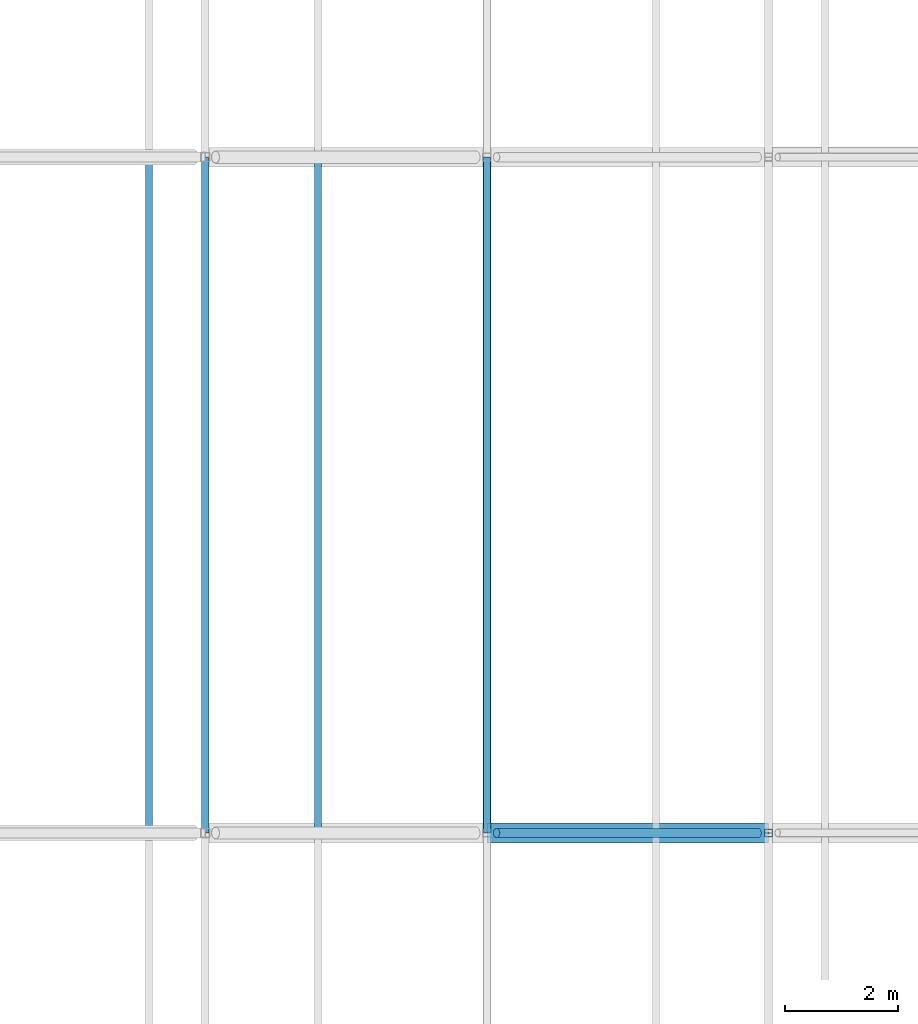
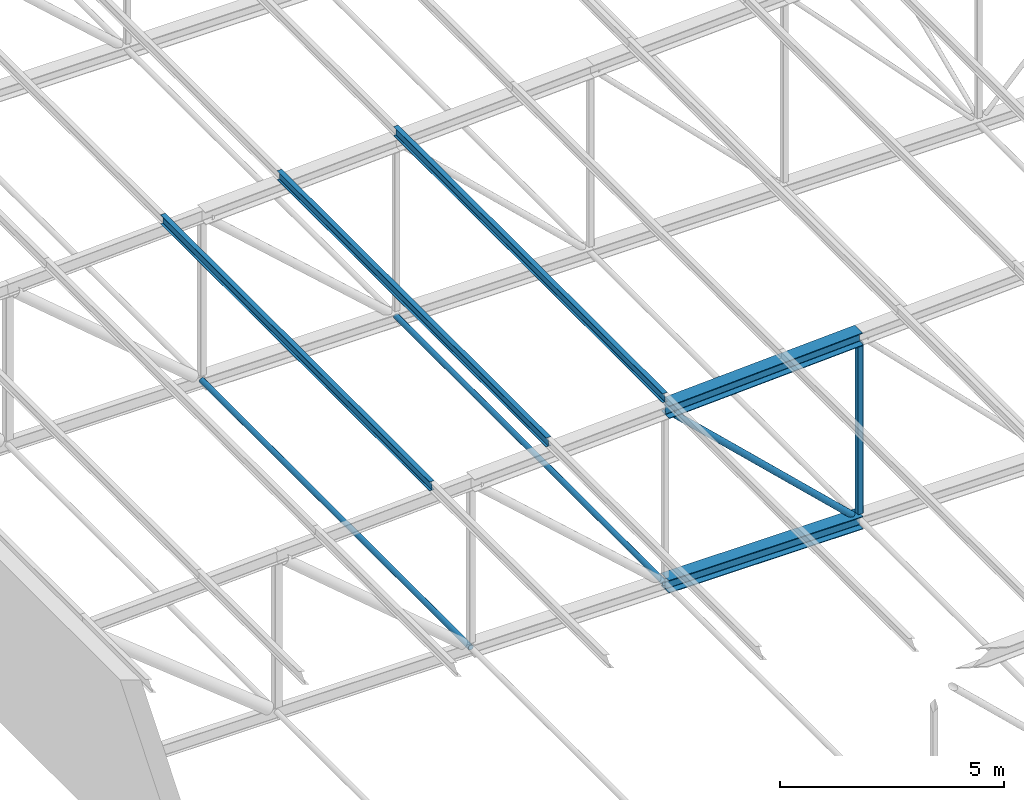
# One storey, part 20 of 156: 9 members.
"""IFC4 building model written with IfcOpenShell, lengths in metres."""

from ifc_helpers import new_model, si_unit, direction, frame, origin, origin_2d, place, context, subcontext, project, spatial, hollow_rectangle, hollow_circle, i_section, extrude, material, material_profile, profile_set, type_object, element, save


model = new_model("IFC4")

# Units and contexts
model_context = context("Model", 3, precision=1e-05, world=origin(), true_north=direction((0.0, 1.0)))
body_context = subcontext(model_context, "Body", "Model", "MODEL_VIEW")
ifc_project = project(units=[si_unit("LENGTHUNIT", "METRE"), si_unit("AREAUNIT", "SQUARE_METRE"), si_unit("VOLUMEUNIT", "CUBIC_METRE"), si_unit("PLANEANGLEUNIT", "RADIAN"), si_unit("MASSUNIT", "GRAM", prefix="KILO")], contexts=[model_context])

# Site, building, storey
site_placement = place(None, origin())
site = spatial("IfcSite", under=ifc_project, at=site_placement, CompositionType="ELEMENT")
building_placement = place(site_placement, origin())
building = spatial("IfcBuilding", under=site, at=building_placement, Name="Lilac Gate Convention Centre", CompositionType="ELEMENT")
storey_placement = place(building_placement, frame((0.0, 0.0, 17.0)))
storey = spatial("IfcBuildingStorey", under=building, at=storey_placement, Name="L03", CompositionType="ELEMENT", Elevation=17.0)

# Members
ifc_material = material(Name="Steel Q355B", Category="steel")
ifc_material_profile_1 = material_profile(ifc_material, hollow_circle(Radius=0.06982421875, WallThickness=0.0048828125, at=origin_2d()), Name="CHS139.7x5")
ifc_profile_set_1 = profile_set([ifc_material_profile_1], Name="Steel Q355B")
member_type_1 = type_object("IfcMemberType", Name="Bottom chord tie CHS139.7x5", PredefinedType="STRUT", material=ifc_profile_set_1)
member_1_placement = place(storey_placement, frame((40.0, 54.00341796875, 0.0), z_axis=(0.0, 1.0, 0.0), x_axis=(-1.0, 0.0, 0.0)))
element("IfcMember", 1, at=member_1_placement, inside=storey, type_object=member_type_1, Name="ST1 tie bay 3 node 3", PredefinedType="STRUT", context=body_context, shape_type="SweptSolid", body=[
    extrude(hollow_circle(Radius=0.06982421875, WallThickness=0.0048828125, at=origin_2d()), origin(), (0.0, 0.0, 1.0), 11.9931640625),
])
member_2_placement = place(storey_placement, frame((45.0, 54.006103515625, 0.0), z_axis=(0.0, 1.0, 0.0), x_axis=(-1.0, 0.0, 0.0)))
element("IfcMember", 2, at=member_2_placement, inside=storey, type_object=member_type_1, Name="ST1 tie bay 3 node 4", PredefinedType="STRUT", context=body_context, shape_type="SweptSolid", body=[
    extrude(hollow_circle(Radius=0.06982421875, WallThickness=0.0048828125, at=origin_2d()), origin(), (0.0, 0.0, 1.0), 11.98779296875),
])
ifc_material_profile_2 = material_profile(ifc_material, i_section(OverallWidth=0.125, OverallDepth=0.25, WebThickness=0.006103515625, FlangeThickness=0.009033203125, FilletRadius=0.008056640625, at=origin_2d()), Name="HN250x125x6x9")
ifc_profile_set_2 = profile_set([ifc_material_profile_2], Name="Steel Q355B")
member_type_2 = type_object("IfcMemberType", Name="Roof purlin HN250x125x6x9", PredefinedType="PURLIN", material=ifc_profile_set_2)
for number, where, z_axis, x_axis, name in (
    (3, (39.0, 54.0, 4.750244140625), (0.0, 1.0, 0.0), (-1.0, 0.0, 0.0), "PU2 purlin bay 3 line 4"),
    (4, (42.0, 54.0, 4.900146484375), (0.0, 1.0, 0.0), (-1.0, 0.0, 0.0), "PU2 purlin bay 3 line 5"),
    (5, (45.0, 54.0, 5.05029296875), (0.0, 1.0, 0.0), (-1.0, 0.0, 0.0), "PU2 purlin bay 3 line 6"),
):
    element("IfcMember", number, at=place(storey_placement, frame(where, z_axis=z_axis, x_axis=x_axis)), inside=storey, type_object=member_type_2, Name=name, PredefinedType="PURLIN", context=body_context, shape_type="SweptSolid", body=[
        extrude(i_section(OverallWidth=0.125, OverallDepth=0.25, WebThickness=0.006103515625, FlangeThickness=0.009033203125, FilletRadius=0.008056640625, at=origin_2d()), origin(), (0.0, 0.0, 1.0), 12.0),
    ])
ifc_material_profile_3 = material_profile(ifc_material, i_section(OverallWidth=0.35009765625, OverallDepth=0.35009765625, WebThickness=0.011962890625, FlangeThickness=0.01904296875, FilletRadius=0.012939453125, at=origin_2d()), Name="HW350x350x12x19")
ifc_profile_set_3 = profile_set([ifc_material_profile_3], Name="Steel Q355B")
member_type_3 = type_object("IfcMemberType", Name="Truss bottom chord HW350x350x12x19", PredefinedType="CHORD", material=ifc_profile_set_3)
member_3_placement = place(storey_placement, frame((45.0, 54.0, 0.0), z_axis=(1.0, 0.0, 0.0), x_axis=(0.0, 1.0, 0.0)))
element("IfcMember", 6, at=member_3_placement, inside=storey, type_object=member_type_3, Name="TB2 truss 3 bottom chord 4", PredefinedType="CHORD", context=body_context, shape_type="SweptSolid", body=[
    extrude(i_section(OverallWidth=0.35009765625, OverallDepth=0.35009765625, WebThickness=0.011962890625, FlangeThickness=0.01904296875, FilletRadius=0.012939453125, at=origin_2d()), origin(), (0.0, 0.0, 1.0), 5.0),
])
ifc_material_profile_4 = material_profile(ifc_material, hollow_circle(Radius=0.084228515625, WallThickness=0.006103515625, at=origin_2d()), Name="CHS168.3x6")
ifc_profile_set_4 = profile_set([ifc_material_profile_4], Name="Steel Q355B")
member_type_4 = type_object("IfcMemberType", Name="Truss diagonal CHS168.3x6", PredefinedType="BRACE", material=ifc_profile_set_4)
member_4_placement = place(storey_placement, frame((45.1728515625, 54.0, 4.585693359375), z_axis=(0.725020373275, 0.0, -0.688727419475), x_axis=(0.0, 1.0, 0.0)))
element("IfcMember", 7, at=member_4_placement, inside=storey, type_object=member_type_4, Name="TW4 truss 3 diagonal 4", PredefinedType="BRACE", context=body_context, shape_type="SweptSolid", body=[
    extrude(hollow_circle(Radius=0.084228515625, WallThickness=0.006103515625, at=origin_2d()), origin(), (0.0, 0.0, 1.0), 6.404052734375),
])
ifc_material_profile_5 = material_profile(ifc_material, i_section(OverallWidth=0.35009765625, OverallDepth=0.35009765625, WebThickness=0.011962890625, FlangeThickness=0.01904296875, FilletRadius=0.012939453125, at=origin_2d()), Name="HW350x350x12x19")
ifc_profile_set_5 = profile_set([ifc_material_profile_5], Name="Steel Q355B")
member_type_5 = type_object("IfcMemberType", Name="Truss top chord HW350x350x12x19", PredefinedType="CHORD", material=ifc_profile_set_5)
member_5_placement = place(storey_placement, frame((45.0, 54.0, 4.75), z_axis=(0.998752338878, 0.0, 0.049937616944), x_axis=(0.0, 1.0, 0.0)))
element("IfcMember", 8, at=member_5_placement, inside=storey, type_object=member_type_5, Name="TT2 truss 3 top chord 4", PredefinedType="CHORD", context=body_context, shape_type="SweptSolid", body=[
    extrude(i_section(OverallWidth=0.35009765625, OverallDepth=0.35009765625, WebThickness=0.011962890625, FlangeThickness=0.01904296875, FilletRadius=0.012939453125, at=origin_2d()), origin(), (0.0, 0.0, 1.0), 5.00634765625),
])
ifc_material_profile_6 = material_profile(ifc_material, hollow_rectangle(XDim=0.139892578125, YDim=0.139892578125, WallThickness=0.0048828125, InnerFilletRadius=0.0048828125, OuterFilletRadius=0.010009765625, at=origin_2d()), Name="SHS140x140x5")
ifc_profile_set_6 = profile_set([ifc_material_profile_6], Name="Steel Q355B")
member_type_6 = type_object("IfcMemberType", Name="Truss vertical SHS140x140x5", PredefinedType="STRUT", material=ifc_profile_set_6)
member_6_placement = place(storey_placement, frame((50.0, 54.0, 0.175048828125), z_axis=(0.0, 0.0, 1.0), x_axis=(1.0, 0.0, 0.0)))
element("IfcMember", 9, at=member_6_placement, inside=storey, type_object=member_type_6, Name="TV4 truss 3 vertical 5", PredefinedType="STRUT", context=body_context, shape_type="SweptSolid", body=[
    extrude(hollow_rectangle(XDim=0.139892578125, YDim=0.139892578125, WallThickness=0.0048828125, InnerFilletRadius=0.0048828125, OuterFilletRadius=0.010009765625, at=origin_2d()), origin(), (0.0, 0.0, 1.0), 4.649658203125),
])

save(model, "model.ifc")
